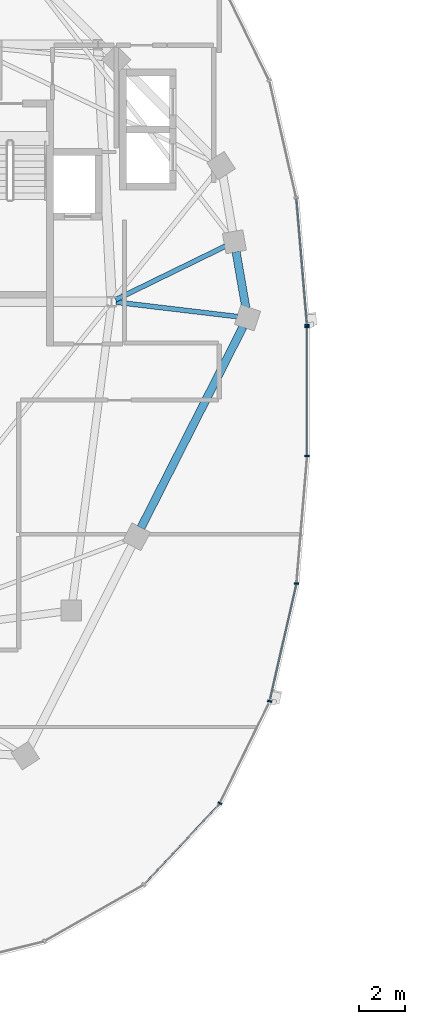
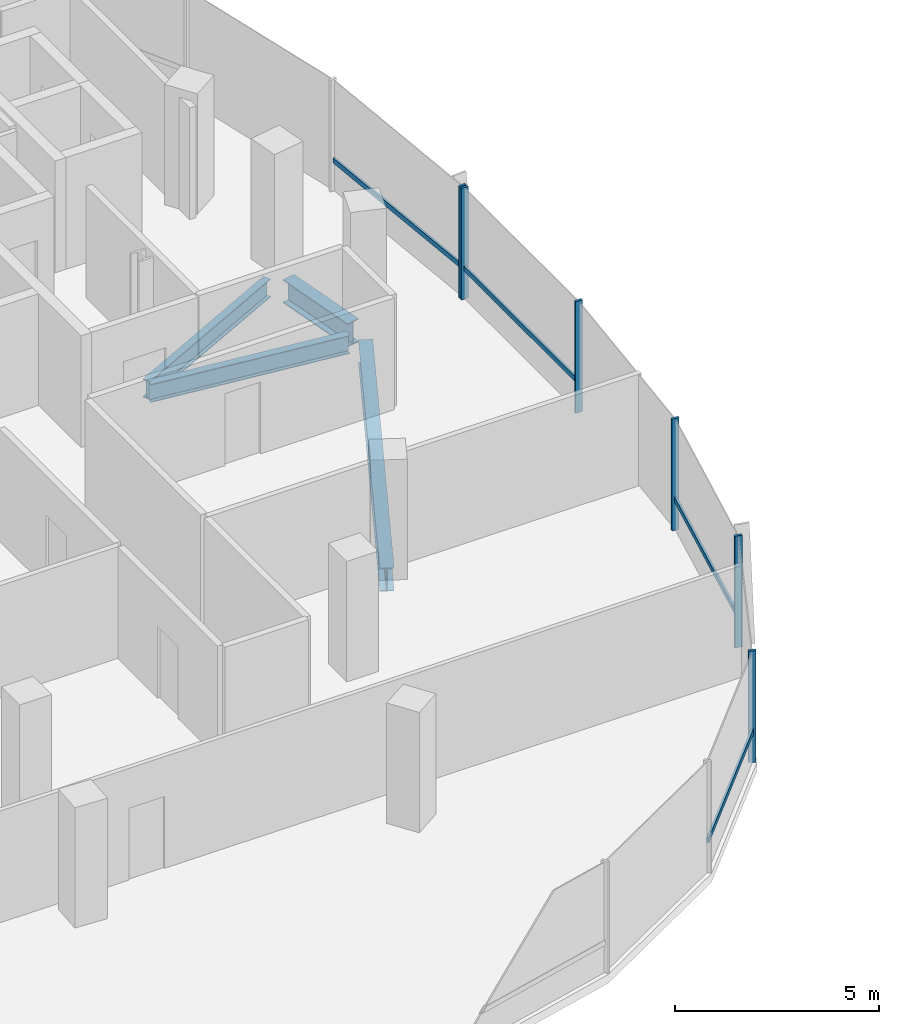
# One storey, part 5 of 25: 10 members, 4 beams, 2 elements without a shape of their own.
"""IFC4 building model written with IfcOpenShell, lengths in metres."""

import ifcopenshell
import ifcopenshell.guid

model = None  # the IFC model being written
_history = None  # IfcOwnerHistory: only IFC2X3 demands one
_inside = {}  # id of a spatial element -> (the spatial element, [elements in it])
_under = {}  # id of a project, library or spatial element -> (it, [spatial elements below it])
_declared = {}  # id of a project -> (the project, [libraries it declares])
_typed = {}  # id of a type object -> (the type object, [elements of that type])
_made_of = {}  # id of a material, layer set ... -> (it, [elements and type objects made of it])


def new_model(schema):
    """Start an empty IFC model of exactly this schema.

    Asked for "IFC4X3", IfcOpenShell would pick the latest addendum, in which some entities
    have other attributes; the version numbers below select the first issue.
    IFC2X3 requires an IfcOwnerHistory on every rooted entity: one is made here for all.
    """
    global model, _history
    if schema == "IFC4X3":
        model = ifcopenshell.file(schema_version=(4, 3, 0, 0))
    else:
        model = ifcopenshell.file(schema=schema)
    _inside.clear()
    _under.clear()
    _declared.clear()
    _typed.clear()
    _made_of.clear()
    _history = None
    if model.schema == "IFC2X3":
        org = make("IfcOrganization", Name="unknown")
        user = make(
            "IfcPersonAndOrganization",
            ThePerson=make("IfcPerson", FamilyName="unknown"),
            TheOrganization=org,
        )
        app = make(
            "IfcApplication",
            ApplicationDeveloper=org,
            Version="unknown",
            ApplicationFullName="unknown",
            ApplicationIdentifier="unknown",
        )
        _history = make(
            "IfcOwnerHistory",
            OwningUser=user,
            OwningApplication=app,
            ChangeAction="ADDED",
            CreationDate=0,
        )
    return model


def make(cls, **values):
    """One entity of the class cls with the attributes given. An attribute that is None is left unset."""
    return model.create_entity(
        cls, **{name: value for name, value in values.items() if value is not None}
    )


def rooted(cls, **values):
    """An entity with a GlobalId (a new one), such as an element, a storey or a relation."""
    return make(cls, GlobalId=ifcopenshell.guid.new(), OwnerHistory=_history, **values)


def si_unit(unit_type, name, prefix=None):
    """IfcSIUnit, for example si_unit("LENGTHUNIT", "METRE", prefix="MILLI")."""
    return make("IfcSIUnit", UnitType=unit_type, Prefix=prefix, Name=name)


def assignment(units):
    """IfcUnitAssignment: the units of a project."""
    return None if units is None else make("IfcUnitAssignment", Units=units)


def point(xyz):
    """IfcCartesianPoint."""
    return None if xyz is None else make("IfcCartesianPoint", Coordinates=xyz)


def direction(xyz):
    """IfcDirection."""
    return None if xyz is None else make("IfcDirection", DirectionRatios=xyz)


def frame(location, z_axis=None, x_axis=None):
    """IfcAxis2Placement3D, a coordinate frame: its origin and axes. An axis left out is left unset."""
    return make(
        "IfcAxis2Placement3D",
        Location=point(location),
        Axis=direction(z_axis),
        RefDirection=direction(x_axis),
    )


def frame_2d(location, x_axis=None):
    """IfcAxis2Placement2D, a coordinate frame in the plane: its origin and x axis."""
    return make(
        "IfcAxis2Placement2D", Location=point(location), RefDirection=direction(x_axis)
    )


def origin():
    """The frame at (0, 0, 0) with its axes left unset."""
    return frame((0.0, 0.0, 0.0))


def origin_2d():
    """The frame at (0, 0) in the plane with its x axis left unset."""
    return frame_2d((0.0, 0.0))


def place(relative_to, where):
    """IfcLocalPlacement: puts the frame where relative to a parent placement (None: the world)."""
    return make(
        "IfcLocalPlacement", PlacementRelTo=relative_to, RelativePlacement=where
    )


def context(
    kind, dimensions, precision=None, world=None, true_north=None, identifier=None
):
    """IfcGeometricRepresentationContext, for example the 3D "Model" context."""
    return make(
        "IfcGeometricRepresentationContext",
        ContextIdentifier=identifier,
        ContextType=kind,
        CoordinateSpaceDimension=dimensions,
        Precision=precision,
        WorldCoordinateSystem=world,
        TrueNorth=true_north,
    )


def subcontext(parent, identifier, kind, view, scale=None):
    """IfcGeometricRepresentationSubContext, for example "Body" below "Model"."""
    return make(
        "IfcGeometricRepresentationSubContext",
        ContextIdentifier=identifier,
        ContextType=kind,
        ParentContext=parent,
        TargetScale=scale,
        TargetView=view,
    )


def project(units=None, contexts=None):
    """IfcProject with its units and contexts."""
    return rooted(
        "IfcProject",
        Name="project",
        RepresentationContexts=contexts,
        UnitsInContext=assignment(units),
    )


def spatial(cls, under=None, at=None, **own):
    """A site, building, storey or space (cls), placed at a placement, below another one or the project."""
    s = rooted(cls, ObjectPlacement=at, **own)
    if under is not None:
        _under.setdefault(under.id(), (under, []))[1].append(s)
    return s


def profile(cls, at=None, kind="AREA", **sizes):
    """A parametric profile (cls). Its sizes go by their IFC names, for example OverallWidth=200.0."""
    return make(cls, ProfileType=kind, Position=at, **sizes)


def rectangle(**sizes):
    """IfcRectangleProfileDef."""
    return profile("IfcRectangleProfileDef", **sizes)


def i_section(**sizes):
    """IfcIShapeProfileDef."""
    return profile("IfcIShapeProfileDef", **sizes)


def extrude(swept, where, along, depth):
    """IfcExtrudedAreaSolid: the profile swept, set in the frame where, extruded along a direction by depth."""
    return make(
        "IfcExtrudedAreaSolid",
        SweptArea=swept,
        Position=where,
        ExtrudedDirection=direction(along),
        Depth=depth,
    )


def shape(context_of_items, identifier, shape_type, items):
    """IfcShapeRepresentation: the items that make up one representation, for example the "Body"."""
    return make(
        "IfcShapeRepresentation",
        ContextOfItems=context_of_items,
        RepresentationIdentifier=identifier,
        RepresentationType=shape_type,
        Items=items,
    )


def material(Name=None, Category=None):
    """IfcMaterial."""
    return make("IfcMaterial", Name=Name, Category=Category)


def material_profile(
    of_material, cross_section, Name=None, Category=None, Priority=None
):
    """IfcMaterialProfile: a cross section and its material."""
    return make(
        "IfcMaterialProfile",
        Name=Name,
        Material=of_material,
        Profile=cross_section,
        Priority=Priority,
        Category=Category,
    )


def profile_set(profiles, Name=None, composite=None):
    """IfcMaterialProfileSet."""
    return make(
        "IfcMaterialProfileSet",
        Name=Name,
        MaterialProfiles=profiles,
        CompositeProfile=composite,
    )


def made_of(thing, what):
    """Note that an element or type object is made of a material, layer set ...; save() writes the relation."""
    if what is not None:
        _made_of.setdefault(what.id(), (what, []))[1].append(thing)
    return thing


def type_object(cls, material=None, **own):
    """A type object (cls), such as IfcWallType, which elements share."""
    return made_of(rooted(cls, **own), material)


def element(
    cls,
    number,
    at=None,
    inside=None,
    cuts=None,
    type_object=None,
    material=None,
    context=None,
    identifier="Body",
    shape_type=None,
    held_by="IfcProductDefinitionShape",
    body=None,
    shapes=None,
    **own,
):
    """One element of the class cls, such as IfcWall. Its Tag is "e" and its number.

    at: its placement. inside: the storey or other place that contains it. cuts: it is an
    opening in that element (IfcRelVoidsElement). A single representation is given by context,
    identifier, shape_type and body (its items); several are given by shapes. held_by: the class
    of the entity that holds the representations. save() writes the other relations.
    """
    e = rooted(cls, Tag="e%d" % number, ObjectPlacement=at, **own)
    if body is not None:
        shapes = [shape(context, identifier, shape_type, body)]
    if shapes is not None:
        e.Representation = make(held_by, Representations=shapes)
    if inside is not None:
        _inside.setdefault(inside.id(), (inside, []))[1].append(e)
    if cuts is not None:
        rooted(
            "IfcRelVoidsElement", RelatingBuildingElement=cuts, RelatedOpeningElement=e
        )
    if type_object is not None:
        _typed.setdefault(type_object.id(), (type_object, []))[1].append(e)
    return made_of(e, material)


def aggregate(whole, parts):
    """IfcRelAggregates: a whole, such as a stair, and the parts it consists of."""
    return rooted("IfcRelAggregates", RelatingObject=whole, RelatedObjects=parts)


def save(model, path):
    """Write the relations noted so far, then the file.

    IfcRelAggregates (storeys below a building ...), IfcRelContainedInSpatialStructure (elements
    in a storey), IfcRelDefinesByType, IfcRelAssociatesMaterial and IfcRelDeclares: one each for
    every whole, place, type object, material and project.
    """
    for whole, parts in _under.values():
        aggregate(whole, parts)
    for where, things in _inside.values():
        rooted(
            "IfcRelContainedInSpatialStructure",
            RelatedElements=things,
            RelatingStructure=where,
        )
    for kind, things in _typed.values():
        rooted("IfcRelDefinesByType", RelatedObjects=things, RelatingType=kind)
    for what, things in _made_of.values():
        rooted("IfcRelAssociatesMaterial", RelatedObjects=things, RelatingMaterial=what)
    for by, libraries in _declared.values():
        rooted("IfcRelDeclares", RelatingContext=by, RelatedDefinitions=libraries)
    model.write(path)


model = new_model("IFC4")

# Units and contexts
model_context = context("Model", 3, precision=1e-05, world=origin(), true_north=direction((0.0, 1.0)))
body_context = subcontext(model_context, "Body", "Model", "MODEL_VIEW")
ifc_project = project(units=[si_unit("LENGTHUNIT", "METRE"), si_unit("AREAUNIT", "SQUARE_METRE"), si_unit("VOLUMEUNIT", "CUBIC_METRE"), si_unit("PLANEANGLEUNIT", "RADIAN"), si_unit("MASSUNIT", "GRAM", prefix="KILO"), si_unit("THERMODYNAMICTEMPERATUREUNIT", "KELVIN"), si_unit("POWERUNIT", "WATT")], contexts=[model_context])

# Site, building, storey
site_placement = place(None, origin())
site = spatial("IfcSite", under=ifc_project, at=site_placement, CompositionType="ELEMENT")
building_placement = place(site_placement, origin())
building = spatial("IfcBuilding", under=site, at=building_placement, Name="Cundina Bronze Exchange", CompositionType="ELEMENT")
storey_placement = place(building_placement, frame((0.0, 0.0, 224.199951171875)))
storey = spatial("IfcBuildingStorey", under=building, at=storey_placement, Name="L59", CompositionType="ELEMENT", Elevation=224.199951171875)

# Beams
ifc_material_1 = material(Name="Steel ASTM A992 Grade 50", Category="steel")
ifc_material_profile_1 = material_profile(ifc_material_1, i_section(OverallWidth=0.2119140625, OverallDepth=0.5439453125, WebThickness=0.01318359375, FlangeThickness=0.021240234375, FilletRadius=0.013916015625, at=origin_2d()), Name="W21X83", Category="steel")
ifc_profile_set_1 = profile_set([ifc_material_profile_1], Name="Steel ASTM A992 Grade 50")
beam_type_1 = type_object("IfcBeamType", Name="BM-FLR-W21A", PredefinedType="BEAM", material=ifc_profile_set_1)
beam_1_placement = place(storey_placement, frame((-21.25537109375, 3.876953125, -0.531982421875), z_axis=(0.993036786722, -0.117804669761, 0.0), x_axis=(0.117804669761, 0.993036786722, 0.0)))
element("IfcBeam", 1, at=beam_1_placement, inside=storey, type_object=beam_type_1, Name="L59 Leg W Radial Floor Beam 00", PredefinedType="BEAM", context=body_context, shape_type="SweptSolid", body=[
    extrude(i_section(OverallWidth=0.2119140625, OverallDepth=0.5439453125, WebThickness=0.01318359375, FlangeThickness=0.021240234375, FilletRadius=0.013916015625, at=origin_2d()), origin(), (0.0, 0.0, 1.0), 5.307373046875),
])
beam_2_placement = place(storey_placement, frame((-21.27392578125, 3.986083984375, -0.531982421875), z_axis=(0.898613202677, 0.438741737214, 0.0), x_axis=(-0.438741737214, 0.898613202677, 0.0)))
element("IfcBeam", 2, at=beam_2_placement, inside=storey, type_object=beam_type_1, Name="L59 Leg W Radial Floor Beam 01", PredefinedType="BEAM", context=body_context, shape_type="SweptSolid", body=[
    extrude(i_section(OverallWidth=0.2119140625, OverallDepth=0.5439453125, WebThickness=0.01318359375, FlangeThickness=0.021240234375, FilletRadius=0.013916015625, at=origin_2d()), origin(), (0.0, 0.0, 1.0), 5.2919921875),
])
ifc_material_profile_2 = material_profile(ifc_material_1, i_section(OverallWidth=0.35498046875, OverallDepth=0.695068359375, WebThickness=0.015380859375, FlangeThickness=0.02490234375, FilletRadius=0.01806640625, at=origin_2d()), Name="W27X146", Category="steel")
ifc_profile_set_2 = profile_set([ifc_material_profile_2], Name="Steel ASTM A992 Grade 50")
beam_type_2 = type_object("IfcBeamType", Name="BM-RING-W27", PredefinedType="USERDEFINED", material=ifc_profile_set_2)
beam_3_placement = place(storey_placement, frame((-15.625244140625, 3.631591796875, -0.607421875), z_axis=(-0.171628556628, 0.985161732179, 0.0), x_axis=(-0.985161732179, -0.171628556628, 0.0)))
element("IfcBeam", 3, at=beam_3_placement, inside=storey, type_object=beam_type_2, Name="L59 W Perimeter Ring Girder 00", ObjectType="GIRDER", PredefinedType="USERDEFINED", context=body_context, shape_type="SweptSolid", body=[
    extrude(i_section(OverallWidth=0.35498046875, OverallDepth=0.695068359375, WebThickness=0.015380859375, FlangeThickness=0.02490234375, FilletRadius=0.01806640625, at=origin_2d()), origin(), (0.0, 0.0, 1.0), 2.4736328125),
])
beam_4_placement = place(storey_placement, frame((-20.1767578125, -5.909423828125, -0.607421875), z_axis=(0.452846871434, 0.891588308039, 0.0), x_axis=(-0.891588308039, 0.452846871434, 0.0)))
element("IfcBeam", 4, at=beam_4_placement, inside=storey, type_object=beam_type_2, Name="L59 W Perimeter Ring Girder 13", ObjectType="GIRDER", PredefinedType="USERDEFINED", context=body_context, shape_type="SweptSolid", body=[
    extrude(i_section(OverallWidth=0.35498046875, OverallDepth=0.695068359375, WebThickness=0.015380859375, FlangeThickness=0.02490234375, FilletRadius=0.01806640625, at=origin_2d()), origin(), (0.0, 0.0, 1.0), 9.779052734375),
])

# Curtain wall, member
ifc_material_2 = material(Name="Anodised Bronze Aluminium 6063-T6", Category="aluminium")
curtain_wall_type = type_object("IfcCurtainWallType", Name="CWS-UPP-OFF", PredefinedType="NOTDEFINED", material=ifc_material_2)
curtain_wall_1_placement = place(storey_placement, origin())
curtain_wall_1 = element("IfcCurtainWall", 5, at=curtain_wall_1_placement, inside=storey, type_object=curtain_wall_type, Name="L59 CW-05 Curtain Wall Run CWR-L59-W1", PredefinedType="NOTDEFINED")
ifc_material_profile_3 = material_profile(ifc_material_2, rectangle(XDim=0.070068359375, YDim=0.18994140625, at=origin_2d()), Name="AL70X190", Category="aluminium")
ifc_profile_set_3 = profile_set([ifc_material_profile_3], Name="Anodised Bronze Aluminium 6063-T6")
member_type_1 = type_object("IfcMemberType", Name="CWM-MUL-190", PredefinedType="MULLION", material=ifc_profile_set_3)
member_1_placement = place(storey_placement, frame((-12.9697265625, 2.88330078125, 0.0), z_axis=(0.0, 0.0, 1.0), x_axis=(-0.083677843332, 0.99649285925, 0.0)))
member_1 = element("IfcMember", 6, at=member_1_placement, type_object=member_type_1, Name="CW-05 Mullion 1", PredefinedType="MULLION", context=body_context, shape_type="SweptSolid", body=[
    extrude(rectangle(XDim=0.070068359375, YDim=0.18994140625, at=origin_2d()), origin(), (0.0, 0.0, 1.0), 3.340087890625),
])

# Curtain wall, members
curtain_wall_2_placement = place(storey_placement, origin())
curtain_wall_2 = element("IfcCurtainWall", 7, at=curtain_wall_2_placement, inside=storey, type_object=curtain_wall_type, Name="L59 CW-05 Curtain Wall Run CWR-L59-W4", PredefinedType="NOTDEFINED")
member_2_placement = place(storey_placement, frame((-16.754638671875, -17.866455078125, 0.0), z_axis=(0.0, 0.0, 1.0), x_axis=(0.440566004113, 0.897720221461, 0.0)))
member_2 = element("IfcMember", 8, at=member_2_placement, type_object=member_type_1, Name="CW-05 Mullion 4", PredefinedType="MULLION", context=body_context, shape_type="SweptSolid", body=[
    extrude(rectangle(XDim=0.070068359375, YDim=0.18994140625, at=origin_2d()), origin(), (0.0, 0.0, 1.0), 3.340087890625),
])
member_3_placement = place(storey_placement, frame((-14.59228515625, -13.440673828125, 0.0), z_axis=(0.0, 0.0, 1.0), x_axis=(0.223250116011, 0.974761194191, 0.0)))
member_3 = element("IfcMember", 9, at=member_3_placement, type_object=member_type_1, Name="CW-05 Mullion 5", PredefinedType="MULLION", context=body_context, shape_type="SweptSolid", body=[
    extrude(rectangle(XDim=0.070068359375, YDim=0.18994140625, at=origin_2d()), origin(), (0.0, 0.0, 1.0), 3.340087890625),
])
member_4_placement = place(storey_placement, frame((-13.427490234375, -8.33056640625, 0.0), z_axis=(0.0, 0.0, 1.0), x_axis=(0.083677843332, 0.99649285925, 0.0)))
member_4 = element("IfcMember", 10, at=member_4_placement, type_object=member_type_1, Name="CW-05 Mullion 6", PredefinedType="MULLION", context=body_context, shape_type="SweptSolid", body=[
    extrude(rectangle(XDim=0.070068359375, YDim=0.18994140625, at=origin_2d()), origin(), (0.0, 0.0, 1.0), 3.340087890625),
])
member_5_placement = place(storey_placement, frame((-12.966064453125, -2.794921875, 0.0), z_axis=(0.0, 0.0, 1.0), x_axis=(0.0, 1.0, 0.0)))
member_5 = element("IfcMember", 11, at=member_5_placement, type_object=member_type_1, Name="CW-05 Mullion 7", PredefinedType="MULLION", context=body_context, shape_type="SweptSolid", body=[
    extrude(rectangle(XDim=0.070068359375, YDim=0.18994140625, at=origin_2d()), origin(), (0.0, 0.0, 1.0), 3.340087890625),
])
member_6_placement = place(storey_placement, frame((-12.966064453125, 2.794921875, 0.0), z_axis=(0.0, 0.0, 1.0), x_axis=(0.0, 1.0, 0.0)))
member_6 = element("IfcMember", 12, at=member_6_placement, type_object=member_type_1, Name="CW-05 End Mullion", PredefinedType="MULLION", context=body_context, shape_type="SweptSolid", body=[
    extrude(rectangle(XDim=0.070068359375, YDim=0.18994140625, at=origin_2d()), origin(), (0.0, 0.0, 1.0), 3.340087890625),
])

# Member
ifc_material_profile_4 = material_profile(ifc_material_2, rectangle(XDim=0.06494140625, YDim=0.14990234375, at=origin_2d()), Name="AL65X150", Category="aluminium")
ifc_profile_set_4 = profile_set([ifc_material_profile_4], Name="Anodised Bronze Aluminium 6063-T6")
member_type_2 = type_object("IfcMemberType", Name="CWM-TRN-150", PredefinedType="USERDEFINED", material=ifc_profile_set_4)
member_7_placement = place(storey_placement, frame((-12.972900390625, 2.921630859375, 0.920166015625), z_axis=(-0.083740331158, 0.996487610027, 0.0), x_axis=(-0.996487610027, -0.083740331158, 0.0)))
member_7 = element("IfcMember", 13, at=member_7_placement, type_object=member_type_2, Name="CW-05 Spandrel Transom 1", ObjectType="TRANSOM", PredefinedType="USERDEFINED", context=body_context, shape_type="SweptSolid", body=[
    extrude(rectangle(XDim=0.06494140625, YDim=0.14990234375, at=origin_2d()), origin(), (0.0, 0.0, 1.0), 5.466552734375),
])

aggregate(curtain_wall_1, [member_1, member_7])

member_8_placement = place(storey_placement, frame((-20.02490234375, -21.364501953125, 0.920166015625), z_axis=(0.684336416554, 0.729166420633, 0.0), x_axis=(-0.729166420633, 0.684336416554, 0.0)))
member_8 = element("IfcMember", 14, at=member_8_placement, type_object=member_type_2, Name="CW-05 Spandrel Transom 3", ObjectType="TRANSOM", PredefinedType="USERDEFINED", context=body_context, shape_type="SweptSolid", body=[
    extrude(rectangle(XDim=0.06494140625, YDim=0.14990234375, at=origin_2d()), origin(), (0.0, 0.0, 1.0), 4.76513671875),
])

member_9_placement = place(storey_placement, frame((-14.58349609375, -13.403076171875, 0.920166015625), z_axis=(0.22328343579, 0.974753562344, 0.0), x_axis=(-0.974753562344, 0.22328343579, 0.0)))
member_9 = element("IfcMember", 15, at=member_9_placement, type_object=member_type_2, Name="CW-05 Spandrel Transom 5", ObjectType="TRANSOM", PredefinedType="USERDEFINED", context=body_context, shape_type="SweptSolid", body=[
    extrude(rectangle(XDim=0.06494140625, YDim=0.14990234375, at=origin_2d()), origin(), (0.0, 0.0, 1.0), 5.159912109375),
])

member_10_placement = place(storey_placement, frame((-12.966064453125, -2.756591796875, 0.920166015625), z_axis=(0.0, 1.0, 0.0), x_axis=(-1.0, 0.0, 0.0)))
member_10 = element("IfcMember", 16, at=member_10_placement, type_object=member_type_2, Name="CW-05 Spandrel Transom 7", ObjectType="TRANSOM", PredefinedType="USERDEFINED", context=body_context, shape_type="SweptSolid", body=[
    extrude(rectangle(XDim=0.06494140625, YDim=0.14990234375, at=origin_2d()), origin(), (0.0, 0.0, 1.0), 5.51318359375),
])

aggregate(curtain_wall_2, [member_8, member_2, member_3, member_9, member_4, member_5, member_6, member_10])

save(model, "model.ifc")
